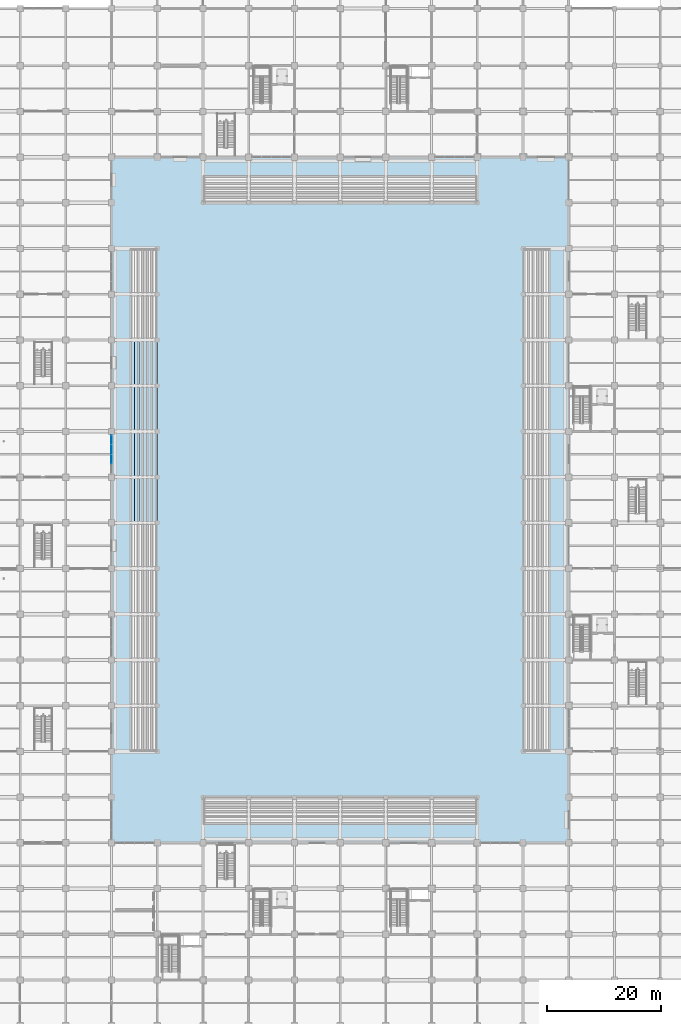
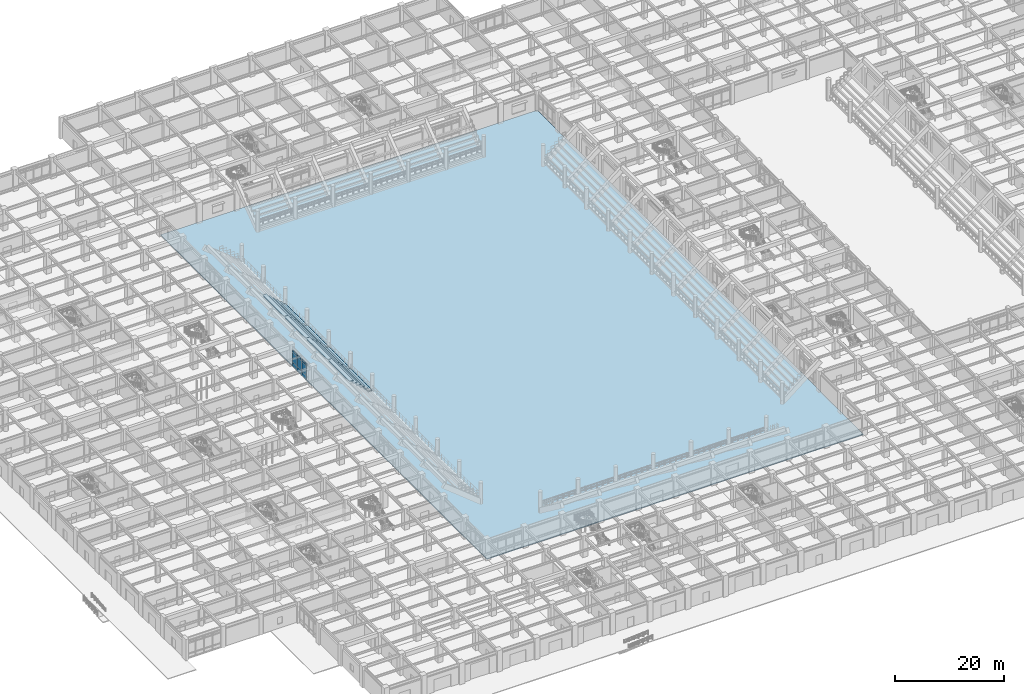
# One storey, part 61 of 125: 25 slabs, 9 plates, 1 element without a shape of its own.
"""IFC4 building model written with IfcOpenShell, lengths in metres."""

from ifc_helpers import new_model, si_unit, direction, frame, origin, origin_2d, place, context, subcontext, project, spatial, polyline, rectangle, outline, extrude, material, layer, layer_set, type_object, element, aggregate, save


model = new_model("IFC4")

# Units and contexts
model_context = context("Model", 3, precision=1e-05, world=origin(), true_north=direction((0.0, 1.0)))
body_context = subcontext(model_context, "Body", "Model", "MODEL_VIEW")
ifc_project = project(units=[si_unit("LENGTHUNIT", "METRE"), si_unit("AREAUNIT", "SQUARE_METRE"), si_unit("VOLUMEUNIT", "CUBIC_METRE"), si_unit("PLANEANGLEUNIT", "RADIAN"), si_unit("MASSUNIT", "GRAM", prefix="KILO")], contexts=[model_context])

# Site, building, storey
site_placement = place(None, origin())
site = spatial("IfcSite", under=ifc_project, at=site_placement, CompositionType="ELEMENT")
building_placement = place(site_placement, origin())
building = spatial("IfcBuilding", under=site, at=building_placement, Name="Haebicheon Civic Stadium", CompositionType="ELEMENT")
storey_placement = place(building_placement, origin())
storey = spatial("IfcBuildingStorey", under=building, at=storey_placement, Name="L01", CompositionType="ELEMENT", Elevation=0.0)

# Curtain wall, plates
ifc_material_1 = material(Name="Anodised aluminium and laminated glass", Category="aluminium")
ifc_layer_1 = layer(ifc_material_1, 0.179931640625, Name="Anodised aluminium and laminated glass")
ifc_layer_set_1 = layer_set([ifc_layer_1], Name="Anodised aluminium and laminated glass")
curtain_wall_type = type_object("IfcCurtainWallType", Name="CW-6900x3620", PredefinedType="NOTDEFINED", material=ifc_layer_set_1)
curtain_wall_placement = place(storey_placement, origin())
curtain_wall = element("IfcCurtainWall", 1, at=curtain_wall_placement, inside=storey, type_object=curtain_wall_type, material=ifc_layer_set_1, Name="L01 unitised curtain wall 007", PredefinedType="NOTDEFINED")
ifc_material_2 = material(Name="Double low-e laminated glass", Category="glass")
ifc_layer_2 = layer(ifc_material_2, 0.028076171875, Name="Double low-e laminated glass")
ifc_layer_set_2 = layer_set([ifc_layer_2], Name="Double low-e laminated glass")
plate_type_1 = type_object("IfcPlateType", Name="CWP-GLZ-28", PredefinedType="CURTAIN_PANEL", material=ifc_layer_set_2)
plate_1_placement = place(storey_placement, frame((64.0, 99.137939453125, 0.93994140625), z_axis=(0.0, 0.0, 1.0), x_axis=(0.0, 1.0, 0.0)))
plate_1 = element("IfcPlate", 2, at=plate_1_placement, type_object=plate_type_1, material=ifc_layer_set_2, Name="CW-L01-007 vision panel 2.2", PredefinedType="CURTAIN_PANEL", context=body_context, shape_type="SweptSolid", body=[
    extrude(rectangle(XDim=1.64501953125, YDim=0.028076171875, at=origin_2d()), origin(), (0.0, 0.0, 1.0), 2.090087890625),
])
plate_2_placement = place(storey_placement, frame((64.0, 100.862060546875, 0.93994140625), z_axis=(0.0, 0.0, 1.0), x_axis=(0.0, 1.0, 0.0)))
plate_2 = element("IfcPlate", 3, at=plate_2_placement, type_object=plate_type_1, material=ifc_layer_set_2, Name="CW-L01-007 vision panel 3.2", PredefinedType="CURTAIN_PANEL", context=body_context, shape_type="SweptSolid", body=[
    extrude(rectangle(XDim=1.64501953125, YDim=0.028076171875, at=origin_2d()), origin(), (0.0, 0.0, 1.0), 2.090087890625),
])
plate_3_placement = place(storey_placement, frame((64.0, 102.568115234375, 0.93994140625), z_axis=(0.0, 0.0, 1.0), x_axis=(0.0, 1.0, 0.0)))
plate_3 = element("IfcPlate", 4, at=plate_3_placement, type_object=plate_type_1, material=ifc_layer_set_2, Name="CW-L01-007 vision panel 4.2", PredefinedType="CURTAIN_PANEL", context=body_context, shape_type="SweptSolid", body=[
    extrude(rectangle(XDim=1.60498046875, YDim=0.028076171875, at=origin_2d()), origin(), (0.0, 0.0, 1.0), 2.090087890625),
])
ifc_material_3 = material(Name="Anodised aluminium 6063-T6", Category="aluminium")
ifc_layer_3 = layer(ifc_material_3, 0.0439453125, Name="Anodised aluminium 6063-T6")
ifc_layer_set_3 = layer_set([ifc_layer_3], Name="Anodised aluminium 6063-T6")
plate_type_2 = type_object("IfcPlateType", Name="CWP-SPD-44", PredefinedType="CURTAIN_PANEL", material=ifc_layer_set_3)
plate_4_placement = place(storey_placement, frame((64.0, 99.137939453125, 0.0400390625), z_axis=(0.0, 0.0, 1.0), x_axis=(0.0, 1.0, 0.0)))
plate_4 = element("IfcPlate", 5, at=plate_4_placement, type_object=plate_type_2, material=ifc_layer_set_3, Name="CW-L01-007 spandrel panel 2.1", PredefinedType="CURTAIN_PANEL", context=body_context, shape_type="SweptSolid", body=[
    extrude(rectangle(XDim=1.64501953125, YDim=0.0439453125, at=origin_2d()), origin(), (0.0, 0.0, 1.0), 0.820068359375),
])
plate_5_placement = place(storey_placement, frame((64.0, 99.137939453125, 3.10986328125), z_axis=(0.0, 0.0, 1.0), x_axis=(0.0, 1.0, 0.0)))
plate_5 = element("IfcPlate", 6, at=plate_5_placement, type_object=plate_type_2, material=ifc_layer_set_3, Name="CW-L01-007 spandrel panel 2.3", PredefinedType="CURTAIN_PANEL", context=body_context, shape_type="SweptSolid", body=[
    extrude(rectangle(XDim=1.64501953125, YDim=0.0439453125, at=origin_2d()), origin(), (0.0, 0.0, 1.0), 0.469970703125),
])
plate_6_placement = place(storey_placement, frame((64.0, 100.862060546875, 0.0400390625), z_axis=(0.0, 0.0, 1.0), x_axis=(0.0, 1.0, 0.0)))
plate_6 = element("IfcPlate", 7, at=plate_6_placement, type_object=plate_type_2, material=ifc_layer_set_3, Name="CW-L01-007 spandrel panel 3.1", PredefinedType="CURTAIN_PANEL", context=body_context, shape_type="SweptSolid", body=[
    extrude(rectangle(XDim=1.64501953125, YDim=0.0439453125, at=origin_2d()), origin(), (0.0, 0.0, 1.0), 0.820068359375),
])
plate_7_placement = place(storey_placement, frame((64.0, 100.862060546875, 3.10986328125), z_axis=(0.0, 0.0, 1.0), x_axis=(0.0, 1.0, 0.0)))
plate_7 = element("IfcPlate", 8, at=plate_7_placement, type_object=plate_type_2, material=ifc_layer_set_3, Name="CW-L01-007 spandrel panel 3.3", PredefinedType="CURTAIN_PANEL", context=body_context, shape_type="SweptSolid", body=[
    extrude(rectangle(XDim=1.64501953125, YDim=0.0439453125, at=origin_2d()), origin(), (0.0, 0.0, 1.0), 0.469970703125),
])
plate_8_placement = place(storey_placement, frame((64.0, 102.568115234375, 0.0400390625), z_axis=(0.0, 0.0, 1.0), x_axis=(0.0, 1.0, 0.0)))
plate_8 = element("IfcPlate", 9, at=plate_8_placement, type_object=plate_type_2, material=ifc_layer_set_3, Name="CW-L01-007 spandrel panel 4.1", PredefinedType="CURTAIN_PANEL", context=body_context, shape_type="SweptSolid", body=[
    extrude(rectangle(XDim=1.60498046875, YDim=0.0439453125, at=origin_2d()), origin(), (0.0, 0.0, 1.0), 0.820068359375),
])
plate_9_placement = place(storey_placement, frame((64.0, 102.568115234375, 3.10986328125), z_axis=(0.0, 0.0, 1.0), x_axis=(0.0, 1.0, 0.0)))
plate_9 = element("IfcPlate", 10, at=plate_9_placement, type_object=plate_type_2, material=ifc_layer_set_3, Name="CW-L01-007 spandrel panel 4.3", PredefinedType="CURTAIN_PANEL", context=body_context, shape_type="SweptSolid", body=[
    extrude(rectangle(XDim=1.60498046875, YDim=0.0439453125, at=origin_2d()), origin(), (0.0, 0.0, 1.0), 0.469970703125),
])
aggregate(curtain_wall, [plate_4, plate_1, plate_5, plate_6, plate_2, plate_7, plate_8, plate_3, plate_9])

# Slabs
ifc_material_4 = material(Name="Precast concrete C35/45", Category="concrete")
ifc_layer_4 = layer(ifc_material_4, 0.199951171875, Name="Precast concrete C35/45")
ifc_layer_set_4 = layer_set([ifc_layer_4], Name="Precast concrete C35/45")
slab_type_1 = type_object("IfcSlabType", Name="SLB-PAV-200", PredefinedType="BASESLAB", material=ifc_layer_set_4)
slab_1_placement = place(storey_placement, frame((0.0, 0.0, -0.199951171875)))
element("IfcSlab", 11, at=slab_1_placement, inside=storey, type_object=slab_type_1, material=ifc_layer_set_4, Name="Exterior plaza paving apron APR-PITCH-RIM", PredefinedType="BASESLAB", context=body_context, shape_type="SweptSolid", body=[
    extrude(outline(polyline([(143.9951171875, 151.9951171875), (143.9951171875, 32.0048828125), (64.0048828125, 32.0048828125), (64.0048828125, 151.9951171875), (143.9951171875, 151.9951171875)])), origin(), (0.0, 0.0, 1.0), 0.199951171875),
])
ifc_material_5 = material(Name="Precast concrete C40/50", Category="concrete")
ifc_layer_5 = layer(ifc_material_5, 0.239990234375, Name="Precast concrete C40/50")
ifc_layer_set_5 = layer_set([ifc_layer_5], Name="Precast concrete C40/50")
slab_type_2 = type_object("IfcSlabType", Name="SLB-TIER-240", PredefinedType="USERDEFINED", material=ifc_layer_set_5)
slab_2_placement = place(storey_placement, frame((0.0, 0.0, 0.9599609375)))
element("IfcSlab", 12, at=slab_2_placement, inside=storey, type_object=slab_type_2, material=ifc_layer_set_5, Name="TIER-W-L precast seating tier bay 6 row-band 1", ObjectType="SEATING TIER", PredefinedType="USERDEFINED", context=body_context, shape_type="SweptSolid", body=[
    extrude(outline(polyline([(71.199951171875, 88.0), (72.0, 88.0), (72.0, 96.0), (71.199951171875, 96.0), (71.199951171875, 88.0)])), origin(), (0.0, 0.0, 1.0), 0.239990234375),
])
slab_3_placement = place(storey_placement, frame((0.0, 0.0, 1.6708984375)))
element("IfcSlab", 13, at=slab_3_placement, inside=storey, type_object=slab_type_2, material=ifc_layer_set_5, Name="TIER-W-L precast seating tier bay 6 row-band 2", ObjectType="SEATING TIER", PredefinedType="USERDEFINED", context=body_context, shape_type="SweptSolid", body=[
    extrude(outline(polyline([(70.39990234375, 88.0), (71.199951171875, 88.0), (71.199951171875, 96.0), (70.39990234375, 96.0), (70.39990234375, 88.0)])), origin(), (0.0, 0.0, 1.0), 0.239990234375),
])
slab_4_placement = place(storey_placement, frame((0.0, 0.0, 2.382080078125)))
element("IfcSlab", 14, at=slab_4_placement, inside=storey, type_object=slab_type_2, material=ifc_layer_set_5, Name="TIER-W-L precast seating tier bay 6 row-band 3", ObjectType="SEATING TIER", PredefinedType="USERDEFINED", context=body_context, shape_type="SweptSolid", body=[
    extrude(outline(polyline([(69.60009765625, 88.0), (70.39990234375, 88.0), (70.39990234375, 96.0), (69.60009765625, 96.0), (69.60009765625, 88.0)])), origin(), (0.0, 0.0, 1.0), 0.239990234375),
])
slab_5_placement = place(storey_placement, frame((0.0, 0.0, 3.093017578125)))
element("IfcSlab", 15, at=slab_5_placement, inside=storey, type_object=slab_type_2, material=ifc_layer_set_5, Name="TIER-W-L precast seating tier bay 6 row-band 4", ObjectType="SEATING TIER", PredefinedType="USERDEFINED", context=body_context, shape_type="SweptSolid", body=[
    extrude(outline(polyline([(68.800048828125, 88.0), (69.60009765625, 88.0), (69.60009765625, 96.0), (68.800048828125, 96.0), (68.800048828125, 88.0)])), origin(), (0.0, 0.0, 1.0), 0.239990234375),
])
slab_6_placement = place(storey_placement, frame((0.0, 0.0, 3.803955078125)))
element("IfcSlab", 16, at=slab_6_placement, inside=storey, type_object=slab_type_2, material=ifc_layer_set_5, Name="TIER-W-L precast seating tier bay 6 row-band 5", ObjectType="SEATING TIER", PredefinedType="USERDEFINED", context=body_context, shape_type="SweptSolid", body=[
    extrude(outline(polyline([(68.0, 88.0), (68.800048828125, 88.0), (68.800048828125, 96.0), (68.0, 96.0), (68.0, 88.0)])), origin(), (0.0, 0.0, 1.0), 0.239990234375),
])
slab_7_placement = place(storey_placement, frame((0.0, 0.0, 4.51611328125)))
element("IfcSlab", 17, at=slab_7_placement, inside=storey, type_object=slab_type_2, material=ifc_layer_set_5, Name="TIER-W-L precast seating tier bay 6 row-band 6", ObjectType="SEATING TIER", PredefinedType="USERDEFINED", context=body_context, shape_type="SweptSolid", body=[
    extrude(outline(polyline([(67.199951171875, 88.0), (68.0, 88.0), (68.0, 96.0), (67.199951171875, 96.0), (67.199951171875, 88.0)])), origin(), (0.0, 0.0, 1.0), 0.239990234375),
])
slab_8_placement = place(storey_placement, frame((0.0, 0.0, 0.9599609375)))
element("IfcSlab", 18, at=slab_8_placement, inside=storey, type_object=slab_type_2, material=ifc_layer_set_5, Name="TIER-W-L precast seating tier bay 7 row-band 1", ObjectType="SEATING TIER", PredefinedType="USERDEFINED", context=body_context, shape_type="SweptSolid", body=[
    extrude(outline(polyline([(71.199951171875, 96.0), (72.0, 96.0), (72.0, 104.0), (71.199951171875, 104.0), (71.199951171875, 96.0)])), origin(), (0.0, 0.0, 1.0), 0.239990234375),
])
slab_9_placement = place(storey_placement, frame((0.0, 0.0, 1.6708984375)))
element("IfcSlab", 19, at=slab_9_placement, inside=storey, type_object=slab_type_2, material=ifc_layer_set_5, Name="TIER-W-L precast seating tier bay 7 row-band 2", ObjectType="SEATING TIER", PredefinedType="USERDEFINED", context=body_context, shape_type="SweptSolid", body=[
    extrude(outline(polyline([(70.39990234375, 96.0), (71.199951171875, 96.0), (71.199951171875, 104.0), (70.39990234375, 104.0), (70.39990234375, 96.0)])), origin(), (0.0, 0.0, 1.0), 0.239990234375),
])
slab_10_placement = place(storey_placement, frame((0.0, 0.0, 2.382080078125)))
element("IfcSlab", 20, at=slab_10_placement, inside=storey, type_object=slab_type_2, material=ifc_layer_set_5, Name="TIER-W-L precast seating tier bay 7 row-band 3", ObjectType="SEATING TIER", PredefinedType="USERDEFINED", context=body_context, shape_type="SweptSolid", body=[
    extrude(outline(polyline([(69.60009765625, 96.0), (70.39990234375, 96.0), (70.39990234375, 104.0), (69.60009765625, 104.0), (69.60009765625, 96.0)])), origin(), (0.0, 0.0, 1.0), 0.239990234375),
])
slab_11_placement = place(storey_placement, frame((0.0, 0.0, 3.093017578125)))
element("IfcSlab", 21, at=slab_11_placement, inside=storey, type_object=slab_type_2, material=ifc_layer_set_5, Name="TIER-W-L precast seating tier bay 7 row-band 4", ObjectType="SEATING TIER", PredefinedType="USERDEFINED", context=body_context, shape_type="SweptSolid", body=[
    extrude(outline(polyline([(68.800048828125, 96.0), (69.60009765625, 96.0), (69.60009765625, 104.0), (68.800048828125, 104.0), (68.800048828125, 96.0)])), origin(), (0.0, 0.0, 1.0), 0.239990234375),
])
slab_12_placement = place(storey_placement, frame((0.0, 0.0, 3.803955078125)))
element("IfcSlab", 22, at=slab_12_placement, inside=storey, type_object=slab_type_2, material=ifc_layer_set_5, Name="TIER-W-L precast seating tier bay 7 row-band 5", ObjectType="SEATING TIER", PredefinedType="USERDEFINED", context=body_context, shape_type="SweptSolid", body=[
    extrude(outline(polyline([(68.0, 96.0), (68.800048828125, 96.0), (68.800048828125, 104.0), (68.0, 104.0), (68.0, 96.0)])), origin(), (0.0, 0.0, 1.0), 0.239990234375),
])
slab_13_placement = place(storey_placement, frame((0.0, 0.0, 4.51611328125)))
element("IfcSlab", 23, at=slab_13_placement, inside=storey, type_object=slab_type_2, material=ifc_layer_set_5, Name="TIER-W-L precast seating tier bay 7 row-band 6", ObjectType="SEATING TIER", PredefinedType="USERDEFINED", context=body_context, shape_type="SweptSolid", body=[
    extrude(outline(polyline([(67.199951171875, 96.0), (68.0, 96.0), (68.0, 104.0), (67.199951171875, 104.0), (67.199951171875, 96.0)])), origin(), (0.0, 0.0, 1.0), 0.239990234375),
])
slab_14_placement = place(storey_placement, frame((0.0, 0.0, 0.9599609375)))
element("IfcSlab", 24, at=slab_14_placement, inside=storey, type_object=slab_type_2, material=ifc_layer_set_5, Name="TIER-W-L precast seating tier bay 8 row-band 1", ObjectType="SEATING TIER", PredefinedType="USERDEFINED", context=body_context, shape_type="SweptSolid", body=[
    extrude(outline(polyline([(71.199951171875, 104.0), (72.0, 104.0), (72.0, 112.0), (71.199951171875, 112.0), (71.199951171875, 104.0)])), origin(), (0.0, 0.0, 1.0), 0.239990234375),
])
slab_15_placement = place(storey_placement, frame((0.0, 0.0, 1.6708984375)))
element("IfcSlab", 25, at=slab_15_placement, inside=storey, type_object=slab_type_2, material=ifc_layer_set_5, Name="TIER-W-L precast seating tier bay 8 row-band 2", ObjectType="SEATING TIER", PredefinedType="USERDEFINED", context=body_context, shape_type="SweptSolid", body=[
    extrude(outline(polyline([(70.39990234375, 104.0), (71.199951171875, 104.0), (71.199951171875, 112.0), (70.39990234375, 112.0), (70.39990234375, 104.0)])), origin(), (0.0, 0.0, 1.0), 0.239990234375),
])
slab_16_placement = place(storey_placement, frame((0.0, 0.0, 2.382080078125)))
element("IfcSlab", 26, at=slab_16_placement, inside=storey, type_object=slab_type_2, material=ifc_layer_set_5, Name="TIER-W-L precast seating tier bay 8 row-band 3", ObjectType="SEATING TIER", PredefinedType="USERDEFINED", context=body_context, shape_type="SweptSolid", body=[
    extrude(outline(polyline([(69.60009765625, 104.0), (70.39990234375, 104.0), (70.39990234375, 112.0), (69.60009765625, 112.0), (69.60009765625, 104.0)])), origin(), (0.0, 0.0, 1.0), 0.239990234375),
])
slab_17_placement = place(storey_placement, frame((0.0, 0.0, 3.093017578125)))
element("IfcSlab", 27, at=slab_17_placement, inside=storey, type_object=slab_type_2, material=ifc_layer_set_5, Name="TIER-W-L precast seating tier bay 8 row-band 4", ObjectType="SEATING TIER", PredefinedType="USERDEFINED", context=body_context, shape_type="SweptSolid", body=[
    extrude(outline(polyline([(68.800048828125, 104.0), (69.60009765625, 104.0), (69.60009765625, 112.0), (68.800048828125, 112.0), (68.800048828125, 104.0)])), origin(), (0.0, 0.0, 1.0), 0.239990234375),
])
slab_18_placement = place(storey_placement, frame((0.0, 0.0, 3.803955078125)))
element("IfcSlab", 28, at=slab_18_placement, inside=storey, type_object=slab_type_2, material=ifc_layer_set_5, Name="TIER-W-L precast seating tier bay 8 row-band 5", ObjectType="SEATING TIER", PredefinedType="USERDEFINED", context=body_context, shape_type="SweptSolid", body=[
    extrude(outline(polyline([(68.0, 104.0), (68.800048828125, 104.0), (68.800048828125, 112.0), (68.0, 112.0), (68.0, 104.0)])), origin(), (0.0, 0.0, 1.0), 0.239990234375),
])
slab_19_placement = place(storey_placement, frame((0.0, 0.0, 4.51611328125)))
element("IfcSlab", 29, at=slab_19_placement, inside=storey, type_object=slab_type_2, material=ifc_layer_set_5, Name="TIER-W-L precast seating tier bay 8 row-band 6", ObjectType="SEATING TIER", PredefinedType="USERDEFINED", context=body_context, shape_type="SweptSolid", body=[
    extrude(outline(polyline([(67.199951171875, 104.0), (68.0, 104.0), (68.0, 112.0), (67.199951171875, 112.0), (67.199951171875, 104.0)])), origin(), (0.0, 0.0, 1.0), 0.239990234375),
])
slab_20_placement = place(storey_placement, frame((0.0, 0.0, 0.9599609375)))
element("IfcSlab", 30, at=slab_20_placement, inside=storey, type_object=slab_type_2, material=ifc_layer_set_5, Name="TIER-W-L precast seating tier bay 9 row-band 1", ObjectType="SEATING TIER", PredefinedType="USERDEFINED", context=body_context, shape_type="SweptSolid", body=[
    extrude(outline(polyline([(71.199951171875, 112.0), (72.0, 112.0), (72.0, 120.0), (71.199951171875, 120.0), (71.199951171875, 112.0)])), origin(), (0.0, 0.0, 1.0), 0.239990234375),
])
slab_21_placement = place(storey_placement, frame((0.0, 0.0, 1.6708984375)))
element("IfcSlab", 31, at=slab_21_placement, inside=storey, type_object=slab_type_2, material=ifc_layer_set_5, Name="TIER-W-L precast seating tier bay 9 row-band 2", ObjectType="SEATING TIER", PredefinedType="USERDEFINED", context=body_context, shape_type="SweptSolid", body=[
    extrude(outline(polyline([(70.39990234375, 112.0), (71.199951171875, 112.0), (71.199951171875, 120.0), (70.39990234375, 120.0), (70.39990234375, 112.0)])), origin(), (0.0, 0.0, 1.0), 0.239990234375),
])
slab_22_placement = place(storey_placement, frame((0.0, 0.0, 2.382080078125)))
element("IfcSlab", 32, at=slab_22_placement, inside=storey, type_object=slab_type_2, material=ifc_layer_set_5, Name="TIER-W-L precast seating tier bay 9 row-band 3", ObjectType="SEATING TIER", PredefinedType="USERDEFINED", context=body_context, shape_type="SweptSolid", body=[
    extrude(outline(polyline([(69.60009765625, 112.0), (70.39990234375, 112.0), (70.39990234375, 120.0), (69.60009765625, 120.0), (69.60009765625, 112.0)])), origin(), (0.0, 0.0, 1.0), 0.239990234375),
])
slab_23_placement = place(storey_placement, frame((0.0, 0.0, 3.093017578125)))
element("IfcSlab", 33, at=slab_23_placement, inside=storey, type_object=slab_type_2, material=ifc_layer_set_5, Name="TIER-W-L precast seating tier bay 9 row-band 4", ObjectType="SEATING TIER", PredefinedType="USERDEFINED", context=body_context, shape_type="SweptSolid", body=[
    extrude(outline(polyline([(68.800048828125, 112.0), (69.60009765625, 112.0), (69.60009765625, 120.0), (68.800048828125, 120.0), (68.800048828125, 112.0)])), origin(), (0.0, 0.0, 1.0), 0.239990234375),
])
slab_24_placement = place(storey_placement, frame((0.0, 0.0, 3.803955078125)))
element("IfcSlab", 34, at=slab_24_placement, inside=storey, type_object=slab_type_2, material=ifc_layer_set_5, Name="TIER-W-L precast seating tier bay 9 row-band 5", ObjectType="SEATING TIER", PredefinedType="USERDEFINED", context=body_context, shape_type="SweptSolid", body=[
    extrude(outline(polyline([(68.0, 112.0), (68.800048828125, 112.0), (68.800048828125, 120.0), (68.0, 120.0), (68.0, 112.0)])), origin(), (0.0, 0.0, 1.0), 0.239990234375),
])
slab_25_placement = place(storey_placement, frame((0.0, 0.0, 4.51611328125)))
element("IfcSlab", 35, at=slab_25_placement, inside=storey, type_object=slab_type_2, material=ifc_layer_set_5, Name="TIER-W-L precast seating tier bay 9 row-band 6", ObjectType="SEATING TIER", PredefinedType="USERDEFINED", context=body_context, shape_type="SweptSolid", body=[
    extrude(outline(polyline([(67.199951171875, 112.0), (68.0, 112.0), (68.0, 120.0), (67.199951171875, 120.0), (67.199951171875, 112.0)])), origin(), (0.0, 0.0, 1.0), 0.239990234375),
])

save(model, "model.ifc")
